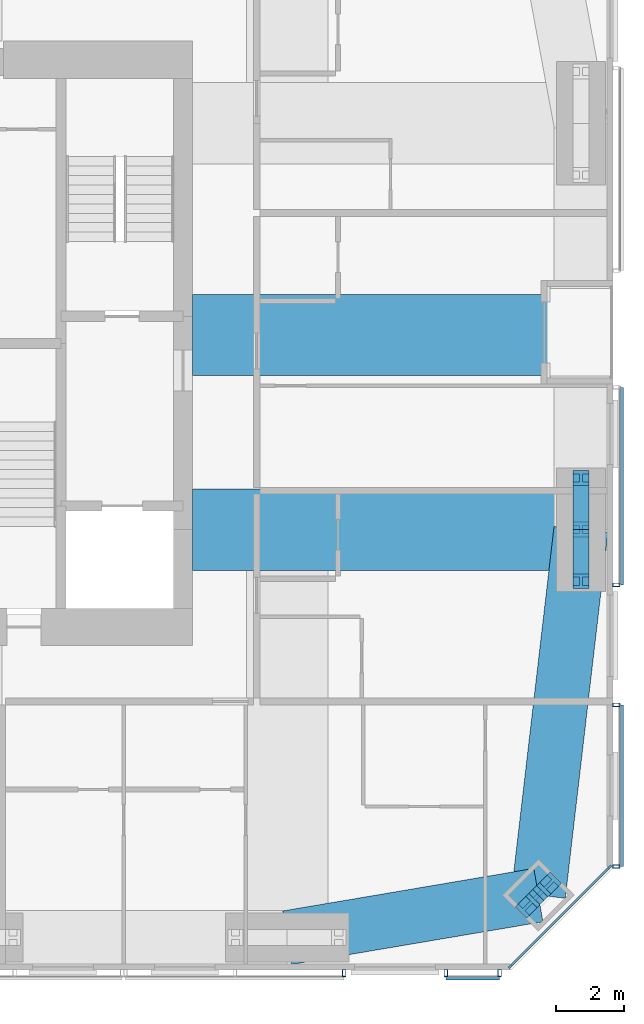
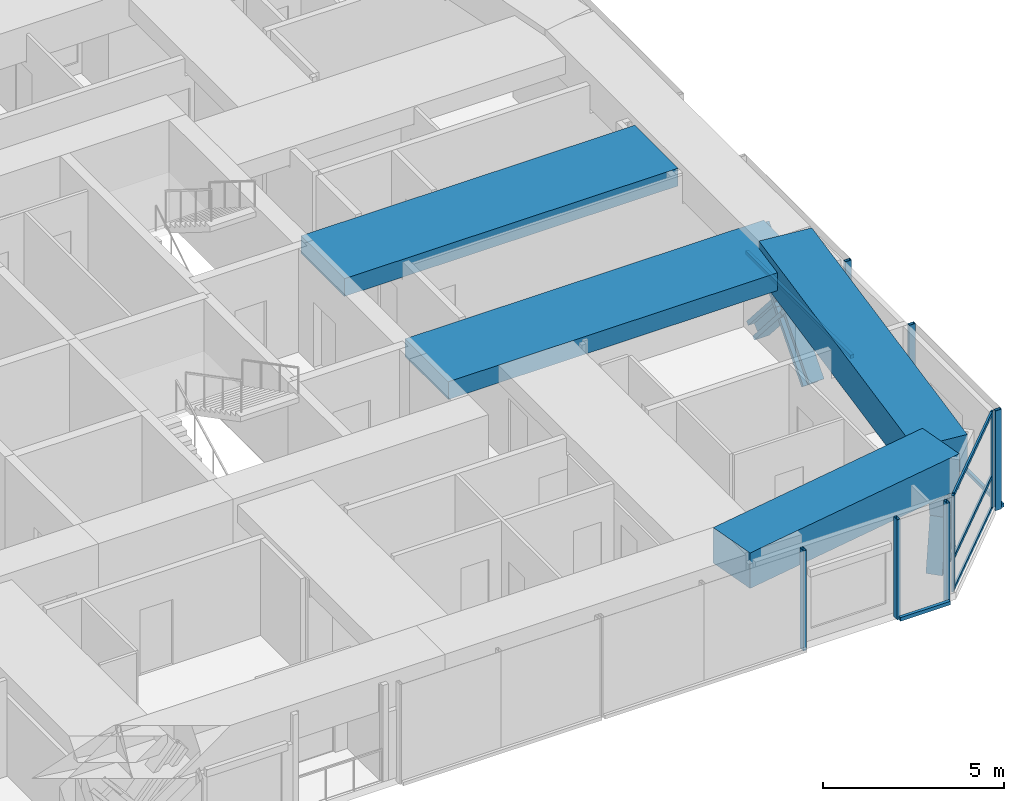
# One storey, part 8 of 19: 22 members, 4 beams, 5 elements without a shape of their own.
"""IFC4 building model written with IfcOpenShell, lengths in metres."""

from ifc_helpers import new_model, si_unit, direction, frame, origin, origin_2d, place, context, subcontext, project, spatial, rectangle, hollow_rectangle, i_section, extrude, material, material_profile, profile_set, type_object, element, aggregate, save


model = new_model("IFC4")

# Units and contexts
model_context = context("Model", 3, precision=1e-05, world=origin(), true_north=direction((0.0, 1.0)))
body_context = subcontext(model_context, "Body", "Model", "MODEL_VIEW")
ifc_project = project(units=[si_unit("LENGTHUNIT", "METRE"), si_unit("AREAUNIT", "SQUARE_METRE"), si_unit("VOLUMEUNIT", "CUBIC_METRE"), si_unit("PLANEANGLEUNIT", "RADIAN"), si_unit("MASSUNIT", "GRAM", prefix="KILO")], contexts=[model_context])

# Site, building, storey
site_placement = place(None, origin())
site = spatial("IfcSite", under=ifc_project, at=site_placement, CompositionType="ELEMENT")
building_placement = place(site_placement, origin())
building = spatial("IfcBuilding", under=site, at=building_placement, Name="Jalousie Tower", CompositionType="ELEMENT")
storey_placement = place(building_placement, frame((0.0, 0.0, 221.449951171875)))
storey = spatial("IfcBuildingStorey", under=building, at=storey_placement, Name="L60", CompositionType="ELEMENT", Elevation=221.449951171875)

# Curtain wall, members
ifc_material_1 = material(Name="Aluminium curtain wall", Category="aluminium")
curtain_wall_type_1 = type_object("IfcCurtainWallType", Name="CORNER WINDOW WALL", PredefinedType="USERDEFINED", material=ifc_material_1)
curtain_wall_1_placement = place(storey_placement, origin())
curtain_wall_1 = element("IfcCurtainWall", 1, at=curtain_wall_1_placement, inside=storey, type_object=curtain_wall_type_1, Name="Corner Window Wall L60 2", ObjectType="CORNER WINDOW WALL", PredefinedType="USERDEFINED")
ifc_material_2 = material(Name="Aluminium mullion", Category="aluminium")
ifc_material_profile_1 = material_profile(ifc_material_2, rectangle(XDim=0.06005859375, YDim=0.14990234375, at=origin_2d()), Name="MULLION 60x150")
ifc_profile_set_1 = profile_set([ifc_material_profile_1], Name="Aluminium mullion")
member_type_1 = type_object("IfcMemberType", Name="CORNER WINDOW WALL MULLION", PredefinedType="MULLION", material=ifc_profile_set_1)
member_1_placement = place(storey_placement, frame((53.469970703125, 0.108642578125, 0.0), z_axis=(0.0, 0.0, 1.0), x_axis=(-0.707106781187, 0.707106781187, 0.0)))
member_1 = element("IfcMember", 2, at=member_1_placement, type_object=member_type_1, Name="CW-C mullion 1", PredefinedType="MULLION", context=body_context, shape_type="SweptSolid", body=[
    extrude(rectangle(XDim=0.06005859375, YDim=0.14990234375, at=origin_2d()), origin(), (0.0, 0.0, 1.0), 3.260009765625),
])
member_2_placement = place(storey_placement, frame((56.391357421875, 3.030029296875, 0.0), z_axis=(0.0, 0.0, 1.0), x_axis=(-0.707106781187, 0.707106781187, 0.0)))
member_2 = element("IfcMember", 3, at=member_2_placement, type_object=member_type_1, Name="CW-C mullion 2", PredefinedType="MULLION", context=body_context, shape_type="SweptSolid", body=[
    extrude(rectangle(XDim=0.06005859375, YDim=0.14990234375, at=origin_2d()), origin(), (0.0, 0.0, 1.0), 3.260009765625),
])
ifc_material_3 = material(Name="Aluminium transom", Category="aluminium")
ifc_material_profile_2 = material_profile(ifc_material_3, rectangle(XDim=0.06005859375, YDim=0.1201171875, at=origin_2d()), Name="TRANSOM 60x120")
ifc_profile_set_2 = profile_set([ifc_material_profile_2], Name="Aluminium transom")
member_type_2 = type_object("IfcMemberType", Name="CORNER WINDOW WALL TRANSOM", PredefinedType="USERDEFINED", material=ifc_profile_set_2)
member_3_placement = place(storey_placement, frame((53.4912109375, 0.1298828125, 0.030029296875), z_axis=(0.707106781187, 0.707106781187, 0.0), x_axis=(-0.707106781187, 0.707106781187, 0.0)))
member_3 = element("IfcMember", 4, at=member_3_placement, type_object=member_type_2, Name="CW-C transom 1.1", ObjectType="TRANSOM", PredefinedType="USERDEFINED", context=body_context, shape_type="SweptSolid", body=[
    extrude(rectangle(XDim=0.06005859375, YDim=0.1201171875, at=origin_2d()), origin(), (0.0, 0.0, 1.0), 4.0712890625),
])
member_4_placement = place(storey_placement, frame((53.4912109375, 0.1298828125, 1.10009765625), z_axis=(0.707106781187, 0.707106781187, 0.0), x_axis=(-0.707106781187, 0.707106781187, 0.0)))
member_4 = element("IfcMember", 5, at=member_4_placement, type_object=member_type_2, Name="CW-C transom 1.2", ObjectType="TRANSOM", PredefinedType="USERDEFINED", context=body_context, shape_type="SweptSolid", body=[
    extrude(rectangle(XDim=0.06005859375, YDim=0.1201171875, at=origin_2d()), origin(), (0.0, 0.0, 1.0), 4.0712890625),
])
member_5_placement = place(storey_placement, frame((53.4912109375, 0.1298828125, 3.22998046875), z_axis=(0.707106781187, 0.707106781187, 0.0), x_axis=(-0.707106781187, 0.707106781187, 0.0)))
member_5 = element("IfcMember", 6, at=member_5_placement, type_object=member_type_2, Name="CW-C transom 1.3", ObjectType="TRANSOM", PredefinedType="USERDEFINED", context=body_context, shape_type="SweptSolid", body=[
    extrude(rectangle(XDim=0.06005859375, YDim=0.1201171875, at=origin_2d()), origin(), (0.0, 0.0, 1.0), 4.0712890625),
])
aggregate(curtain_wall_1, [member_1, member_2, member_3, member_4, member_5])

# Members
ifc_material_4 = material(Name="Steel ASTM A992 Grade 50", Category="steel")
ifc_material_profile_3 = material_profile(ifc_material_4, i_section(OverallWidth=0.472412109375, OverallDepth=0.5791015625, WebThickness=0.094970703125, FlangeThickness=0.1298828125, at=origin_2d()), Name="W14X808")
ifc_profile_set_3 = profile_set([ifc_material_profile_3], Name="Steel ASTM A992 Grade 50")
member_type_3 = type_object("IfcMemberType", Name="PERIMETER BRACE W14X808", PredefinedType="BRACE", material=ifc_profile_set_3)
for number, where, z_axis, x_axis, name in (
    (7, (53.974609375, 1.888916015625, -0.599853515625), (0.17618653952, 0.176051427143, 0.968485517854), (-0.706835495285, 0.707377963048, 0.0), "Perimeter brace 05 L60 part 1"),
    (8, (54.29296875, 2.20703125, 1.150146484375), (0.176051427143, 0.17618653952, 0.968485517854), (-0.707377963048, 0.706835495285, 0.0), "Perimeter brace 05 L60 part 2"),
    (9, (54.611083984375, 2.525390625, -0.599853515625), (-0.176051427143, -0.17618653952, 0.968485517854), (0.707377963048, -0.706835495285, 0.0), "Perimeter brace 05 L60 part 3"),
    (10, (54.29296875, 2.20703125, 1.150146484375), (-0.17618653952, -0.176051427143, 0.968485517854), (0.706835495285, -0.707377963048, 0.0), "Perimeter brace 05 L60 part 4"),
):
    element("IfcMember", number, at=place(storey_placement, frame(where, z_axis=z_axis, x_axis=x_axis)), inside=storey, type_object=member_type_3, Name=name, PredefinedType="BRACE", context=body_context, shape_type="SweptSolid", body=[
        extrude(i_section(OverallWidth=0.472412109375, OverallDepth=0.5791015625, WebThickness=0.094970703125, FlangeThickness=0.1298828125, at=origin_2d()), origin(), (0.0, 0.0, 1.0), 1.806884765625),
    ])
for number, where, z_axis, x_axis, name in (
    (11, (55.550048828125, 11.47509765625, -0.599853515625), (0.0, 0.65695436777, 0.753930340726), (-1.0, 0.0, 0.0), "Perimeter brace 06 L60 part 1"),
    (12, (55.550048828125, 13.0, 1.150146484375), (0.0, 0.65695436777, 0.753930340726), (-1.0, 0.0, 0.0), "Perimeter brace 06 L60 part 2"),
    (13, (55.550048828125, 14.52490234375, -0.599853515625), (0.0, -0.65695436777, 0.753930340726), (1.0, 0.0, 0.0), "Perimeter brace 06 L60 part 3"),
    (14, (55.550048828125, 13.0, 1.150146484375), (0.0, -0.65695436777, 0.753930340726), (1.0, 0.0, 0.0), "Perimeter brace 06 L60 part 4"),
):
    element("IfcMember", number, at=place(storey_placement, frame(where, z_axis=z_axis, x_axis=x_axis)), inside=storey, type_object=member_type_3, Name=name, PredefinedType="BRACE", context=body_context, shape_type="SweptSolid", body=[
        extrude(i_section(OverallWidth=0.472412109375, OverallDepth=0.5791015625, WebThickness=0.094970703125, FlangeThickness=0.1298828125, at=origin_2d()), origin(), (0.0, 0.0, 1.0), 2.3212890625),
    ])

# Beams
ifc_material_5 = material(Name="Concrete f'c 40 MPa", Category="concrete")
ifc_material_profile_4 = material_profile(ifc_material_5, rectangle(XDim=1.60009765625, YDim=1.199951171875, at=origin_2d()), Name="RC 1600x1200")
ifc_profile_set_4 = profile_set([ifc_material_profile_4], Name="Concrete f'c 40 MPa")
beam_type_1 = type_object("IfcBeamType", Name="RC BEAM 1600x1200", PredefinedType="BEAM", material=ifc_profile_set_4)
beam_1_placement = place(storey_placement, frame((46.875, 0.949951171875, 2.900146484375), z_axis=(0.985942997446, 0.167082033105, 0.0), x_axis=(-0.167082033105, 0.985942997446, 0.0)))
element("IfcBeam", 15, at=beam_1_placement, inside=storey, type_object=beam_type_1, Name="Edge band beam 04-05 under L61", PredefinedType="BEAM", context=body_context, shape_type="SweptSolid", body=[
    extrude(rectangle(XDim=1.60009765625, YDim=1.199951171875, at=origin_2d()), origin(), (0.0, 0.0, 1.0), 7.523681640625),
])
beam_2_placement = place(storey_placement, frame((54.29296875, 2.20703125, 2.900146484375), z_axis=(0.115690063472, 0.993285361421, 0.0), x_axis=(-0.993285361421, 0.115690063472, 0.0)))
element("IfcBeam", 16, at=beam_2_placement, inside=storey, type_object=beam_type_1, Name="Edge band beam 05-06 under L61", PredefinedType="BEAM", context=body_context, shape_type="SweptSolid", body=[
    extrude(rectangle(XDim=1.60009765625, YDim=1.199951171875, at=origin_2d()), origin(), (0.0, 0.0, 1.0), 10.865966796875),
])
ifc_material_6 = material(Name="Concrete f'c 40 MPa", Category="concrete")
ifc_material_profile_5 = material_profile(ifc_material_6, rectangle(XDim=2.39990234375, YDim=0.60009765625, at=origin_2d()), Name="RC 2400x600")
ifc_profile_set_5 = profile_set([ifc_material_profile_5], Name="Concrete f'c 40 MPa")
beam_type_2 = type_object("IfcBeamType", Name="RC BEAM 2400x600", PredefinedType="BEAM", material=ifc_profile_set_5)
beam_3_placement = place(storey_placement, frame((55.550048828125, 13.0, 2.9599609375), z_axis=(-1.0, 0.0, 0.0), x_axis=(0.0, -1.0, 0.0)))
element("IfcBeam", 17, at=beam_3_placement, inside=storey, type_object=beam_type_2, Name="Floor band beam under L61", PredefinedType="BEAM", context=body_context, shape_type="SweptSolid", body=[
    extrude(rectangle(XDim=2.39990234375, YDim=0.60009765625, at=origin_2d()), origin(), (0.0, 0.0, 1.0), 11.47509765625),
])
beam_4_placement = place(storey_placement, frame((44.074951171875, 18.75, 2.9599609375), z_axis=(1.0, 0.0, 0.0), x_axis=(0.0, 1.0, 0.0)))
element("IfcBeam", 18, at=beam_4_placement, inside=storey, type_object=beam_type_2, Name="Floor band beam under L61", PredefinedType="BEAM", context=body_context, shape_type="SweptSolid", body=[
    extrude(rectangle(XDim=2.39990234375, YDim=0.60009765625, at=origin_2d()), origin(), (0.0, 0.0, 1.0), 10.675048828125),
])

# Curtain wall, member
ifc_material_7 = material(Name="Perforated aluminium sheet", Category="aluminium")
curtain_wall_type_2 = type_object("IfcCurtainWallType", Name="SOLAR SCREEN SS-2", PredefinedType="USERDEFINED", material=ifc_material_7)
curtain_wall_2_placement = place(storey_placement, origin())
curtain_wall_2 = element("IfcCurtainWall", 19, at=curtain_wall_2_placement, inside=storey, type_object=curtain_wall_type_2, Name="Solar screen L60", ObjectType="SOLAR SCREEN SS-2", PredefinedType="USERDEFINED")
ifc_material_8 = material(Name="Steel ASTM A500 Grade C", Category="steel")
ifc_material_profile_6 = material_profile(ifc_material_8, hollow_rectangle(XDim=0.1015625, YDim=0.203125, WallThickness=0.0078125, at=origin_2d()), Name="HSS8X4X5/16")
ifc_profile_set_6 = profile_set([ifc_material_profile_6], Name="Steel ASTM A500 Grade C")
member_type_4 = type_object("IfcMemberType", Name="SOLAR SCREEN SS-2 MULLION", PredefinedType="MULLION", material=ifc_profile_set_6)
member_6_placement = place(storey_placement, frame((48.559326171875, -0.0966796875, -0.119873046875), z_axis=(0.0, 0.0, 1.0), x_axis=(1.0, 0.0, 0.0)))
member_6 = element("IfcMember", 20, at=member_6_placement, type_object=member_type_4, Name="SS2 post 3", PredefinedType="MULLION", context=body_context, shape_type="SweptSolid", body=[
    extrude(hollow_rectangle(XDim=0.1015625, YDim=0.203125, WallThickness=0.0078125, at=origin_2d()), origin(), (0.0, 0.0, 1.0), 3.3798828125),
])
aggregate(curtain_wall_2, [member_6])

# Curtain wall, members
curtain_wall_3_placement = place(storey_placement, origin())
curtain_wall_3 = element("IfcCurtainWall", 21, at=curtain_wall_3_placement, inside=storey, type_object=curtain_wall_type_2, Name="Solar screen L60", ObjectType="SOLAR SCREEN SS-2", PredefinedType="USERDEFINED")
member_7_placement = place(storey_placement, frame((51.559326171875, -0.0966796875, -0.119873046875), z_axis=(0.0, 0.0, 1.0), x_axis=(1.0, 0.0, 0.0)))
member_7 = element("IfcMember", 22, at=member_7_placement, type_object=member_type_4, Name="SS2 post 1", PredefinedType="MULLION", context=body_context, shape_type="SweptSolid", body=[
    extrude(hollow_rectangle(XDim=0.1015625, YDim=0.203125, WallThickness=0.0078125, at=origin_2d()), origin(), (0.0, 0.0, 1.0), 3.3798828125),
])
member_8_placement = place(storey_placement, frame((53.148681640625, -0.0966796875, -0.119873046875), z_axis=(0.0, 0.0, 1.0), x_axis=(1.0, 0.0, 0.0)))
member_8 = element("IfcMember", 23, at=member_8_placement, type_object=member_type_4, Name="SS2 post 2", PredefinedType="MULLION", context=body_context, shape_type="SweptSolid", body=[
    extrude(hollow_rectangle(XDim=0.1015625, YDim=0.203125, WallThickness=0.0078125, at=origin_2d()), origin(), (0.0, 0.0, 1.0), 3.3798828125),
])

curtain_wall_4_placement = place(storey_placement, origin())
curtain_wall_4 = element("IfcCurtainWall", 24, at=curtain_wall_4_placement, inside=storey, type_object=curtain_wall_type_2, Name="Solar screen L60", ObjectType="SOLAR SCREEN SS-2", PredefinedType="USERDEFINED")
member_9_placement = place(storey_placement, frame((56.5966796875, 3.05126953125, -0.119873046875), z_axis=(0.0, 0.0, 1.0), x_axis=(0.0, 1.0, 0.0)))
member_9 = element("IfcMember", 25, at=member_9_placement, type_object=member_type_4, Name="SS2 post 1", PredefinedType="MULLION", context=body_context, shape_type="SweptSolid", body=[
    extrude(hollow_rectangle(XDim=0.1015625, YDim=0.203125, WallThickness=0.0078125, at=origin_2d()), origin(), (0.0, 0.0, 1.0), 3.3798828125),
])
member_10_placement = place(storey_placement, frame((56.5966796875, 7.824951171875, -0.119873046875), z_axis=(0.0, 0.0, 1.0), x_axis=(0.0, 1.0, 0.0)))
member_10 = element("IfcMember", 26, at=member_10_placement, type_object=member_type_4, Name="SS2 post 2", PredefinedType="MULLION", context=body_context, shape_type="SweptSolid", body=[
    extrude(hollow_rectangle(XDim=0.1015625, YDim=0.203125, WallThickness=0.0078125, at=origin_2d()), origin(), (0.0, 0.0, 1.0), 3.3798828125),
])

# Curtain wall, member
curtain_wall_5_placement = place(storey_placement, origin())
curtain_wall_5 = element("IfcCurtainWall", 27, at=curtain_wall_5_placement, inside=storey, type_object=curtain_wall_type_2, Name="Solar screen L60", ObjectType="SOLAR SCREEN SS-2", PredefinedType="USERDEFINED")
member_11_placement = place(storey_placement, frame((56.5966796875, 11.367431640625, -0.119873046875), z_axis=(0.0, 0.0, 1.0), x_axis=(0.0, 1.0, 0.0)))
member_11 = element("IfcMember", 28, at=member_11_placement, type_object=member_type_4, Name="SS2 post 1", PredefinedType="MULLION", context=body_context, shape_type="SweptSolid", body=[
    extrude(hollow_rectangle(XDim=0.1015625, YDim=0.203125, WallThickness=0.0078125, at=origin_2d()), origin(), (0.0, 0.0, 1.0), 3.3798828125),
])

# Member
ifc_material_9 = material(Name="Extruded aluminium screen rail", Category="aluminium")
ifc_material_profile_7 = material_profile(ifc_material_9, rectangle(XDim=0.1015625, YDim=0.1201171875, at=origin_2d()), Name="RAIL 102x120")
ifc_profile_set_7 = profile_set([ifc_material_profile_7], Name="Extruded aluminium screen rail")
member_type_5 = type_object("IfcMemberType", Name="SOLAR SCREEN SS-2 TRANSOM", PredefinedType="USERDEFINED", material=ifc_profile_set_7)
member_12_placement = place(storey_placement, frame((51.559326171875, -0.2490234375, -0.06005859375), z_axis=(1.0, 0.0, 0.0), x_axis=(0.0, 1.0, 0.0)))
member_12 = element("IfcMember", 29, at=member_12_placement, type_object=member_type_5, Name="SS2 rail", ObjectType="TRANSOM", PredefinedType="USERDEFINED", context=body_context, shape_type="SweptSolid", body=[
    extrude(rectangle(XDim=0.1015625, YDim=0.1201171875, at=origin_2d()), origin(), (0.0, 0.0, 1.0), 1.58935546875),
])

aggregate(curtain_wall_3, [member_7, member_8, member_12])

member_13_placement = place(storey_placement, frame((56.7490234375, 3.05126953125, -0.06005859375), z_axis=(0.0, 1.0, 0.0), x_axis=(-1.0, 0.0, 0.0)))
member_13 = element("IfcMember", 30, at=member_13_placement, type_object=member_type_5, Name="SS2 rail", ObjectType="TRANSOM", PredefinedType="USERDEFINED", context=body_context, shape_type="SweptSolid", body=[
    extrude(rectangle(XDim=0.1015625, YDim=0.1201171875, at=origin_2d()), origin(), (0.0, 0.0, 1.0), 4.773681640625),
])

aggregate(curtain_wall_4, [member_9, member_10, member_13])

member_14_placement = place(storey_placement, frame((56.7490234375, 11.367431640625, -0.06005859375), z_axis=(0.0, 1.0, 0.0), x_axis=(-1.0, 0.0, 0.0)))
member_14 = element("IfcMember", 31, at=member_14_placement, type_object=member_type_5, Name="SS2 rail", ObjectType="TRANSOM", PredefinedType="USERDEFINED", context=body_context, shape_type="SweptSolid", body=[
    extrude(rectangle(XDim=0.1015625, YDim=0.1201171875, at=origin_2d()), origin(), (0.0, 0.0, 1.0), 5.83251953125),
])

aggregate(curtain_wall_5, [member_11, member_14])

save(model, "model.ifc")
